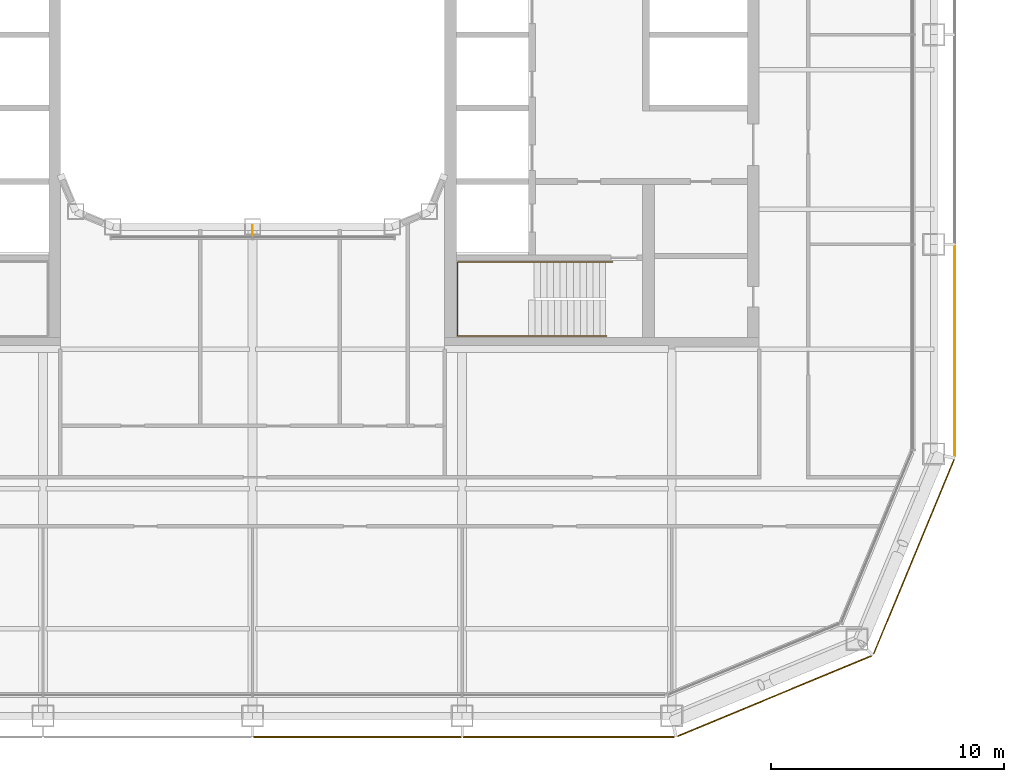
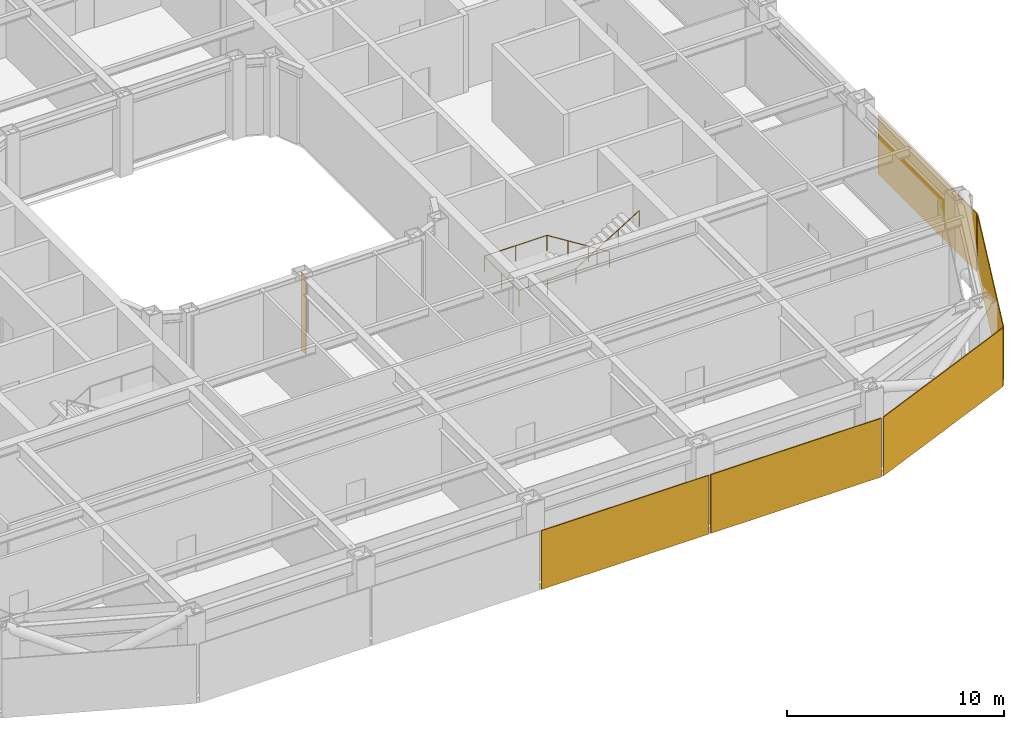
# One storey, part 19 of 23: 5 coverings, 1 railing, 1 shading device.
"""IFC4 building model written with IfcOpenShell, lengths in metres."""

from ifc_helpers import new_model, si_unit, direction, frame, origin, origin_2d, place, context, subcontext, project, spatial, rectangle, circle, extrude, material, layer, layer_set, type_object, element, save


model = new_model("IFC4")

# Units and contexts
model_context = context("Model", 3, precision=1e-05, world=origin(), true_north=direction((0.0, 1.0)))
body_context = subcontext(model_context, "Body", "Model", "MODEL_VIEW")
ifc_project = project(units=[si_unit("LENGTHUNIT", "METRE"), si_unit("AREAUNIT", "SQUARE_METRE"), si_unit("VOLUMEUNIT", "CUBIC_METRE"), si_unit("PLANEANGLEUNIT", "RADIAN"), si_unit("MASSUNIT", "GRAM", prefix="KILO")], contexts=[model_context])

# Site, building, storey
site_placement = place(None, origin())
site = spatial("IfcSite", under=ifc_project, at=site_placement, CompositionType="ELEMENT")
building_placement = place(site_placement, origin())
building = spatial("IfcBuilding", under=site, at=building_placement, Name="Siwar Civic Tower", CompositionType="ELEMENT")
storey_placement = place(building_placement, frame((0.0, 0.0, 131.699951171875)))
storey = spatial("IfcBuildingStorey", under=building, at=storey_placement, Name="L28", CompositionType="ELEMENT", Elevation=131.699951171875)

# Railing
ifc_material_1 = material(Name="Stainless steel", Category="steel")
railing_type = type_object("IfcRailingType", Name="CORE-STAIR-HANDRAIL", PredefinedType="HANDRAIL", material=ifc_material_1)
railing_placement = place(storey_placement, frame((15.449951171875, -9.758056640625, 0.173095703125)))
element("IfcRailing", 1, at=railing_placement, inside=storey, type_object=railing_type, Name="Stair handrail ST4", PredefinedType="HANDRAIL", context=body_context, shape_type="SweptSolid", body=[
    extrude(circle(Radius=0.02001953125, at=origin_2d()), frame((0.0, 0.0, 0.8798828125), z_axis=(-0.847063342986, 0.0, 0.531491950051), x_axis=(0.0, -1.0, 0.0)), (0.0, 0.0, 1.0), 3.90771484375),
    extrude(circle(Radius=0.02001953125, at=origin_2d()), frame((-3.31005859375, 0.0, 2.956787109375), z_axis=(-1.0, 0.0, 0.0), x_axis=(0.0, -1.0, 0.0)), (0.0, 0.0, 1.0), 3.331787109375),
    extrude(circle(Radius=0.02001953125, at=origin_2d()), frame((-6.641845703125, 0.0, 2.956787109375), z_axis=(0.0, -1.0, 0.0), x_axis=(1.0, 0.0, 0.0)), (0.0, 0.0, 1.0), 3.183837890625),
    extrude(circle(Radius=0.02001953125, at=origin_2d()), frame((-6.641845703125, -3.183837890625, 2.956787109375), z_axis=(0.99837434197, 0.0, 0.056997134106), x_axis=(0.0, 1.0, 0.0)), (0.0, 0.0, 1.0), 3.036865234375),
    extrude(circle(Radius=0.02001953125, at=origin_2d()), frame((-3.60986328125, -3.183837890625, 3.1298828125), z_axis=(0.850606129759, 0.0, 0.525803396734), x_axis=(0.0, 1.0, 0.0)), (0.0, 0.0, 1.0), 3.949951171875),
    extrude(circle(Radius=0.02001953125, at=origin_2d()), origin(), (0.0, 0.0, 1.0), 0.85986328125),
    extrude(circle(Radius=0.02001953125, at=origin_2d()), frame((-1.103271484375, 0.0, 0.6923828125)), (0.0, 0.0, 1.0), 0.85986328125),
    extrude(circle(Radius=0.02001953125, at=origin_2d()), frame((-2.206787109375, 0.0, 1.384521484375)), (0.0, 0.0, 1.0), 0.85986328125),
    extrude(circle(Radius=0.02001953125, at=origin_2d()), frame((-3.31005859375, 0.0, 2.076904296875)), (0.0, 0.0, 1.0), 0.85986328125),
    extrude(circle(Radius=0.02001953125, at=origin_2d()), frame((-4.97607421875, 0.0, 2.076904296875)), (0.0, 0.0, 1.0), 0.85986328125),
    extrude(circle(Radius=0.02001953125, at=origin_2d()), frame((-6.641845703125, 0.0, 2.076904296875)), (0.0, 0.0, 1.0), 0.85986328125),
    extrude(circle(Radius=0.02001953125, at=origin_2d()), frame((-6.641845703125, -1.591796875, 2.076904296875)), (0.0, 0.0, 1.0), 0.85986328125),
    extrude(circle(Radius=0.02001953125, at=origin_2d()), frame((-6.641845703125, -3.183837890625, 2.076904296875)), (0.0, 0.0, 1.0), 0.85986328125),
    extrude(circle(Radius=0.02001953125, at=origin_2d()), frame((-5.1259765625, -3.183837890625, 2.16357421875)), (0.0, 0.0, 1.0), 0.85986328125),
    extrude(circle(Radius=0.02001953125, at=origin_2d()), frame((-3.60986328125, -3.183837890625, 2.25)), (0.0, 0.0, 1.0), 0.85986328125),
    extrude(circle(Radius=0.02001953125, at=origin_2d()), frame((-2.489990234375, -3.183837890625, 2.9423828125)), (0.0, 0.0, 1.0), 0.85986328125),
    extrude(circle(Radius=0.02001953125, at=origin_2d()), frame((-1.369873046875, -3.183837890625, 3.634521484375)), (0.0, 0.0, 1.0), 0.85986328125),
    extrude(circle(Radius=0.02001953125, at=origin_2d()), frame((-0.25, -3.183837890625, 4.326904296875)), (0.0, 0.0, 1.0), 0.85986328125),
])

# Shading device
ifc_material_2 = material(Name="Aluminium 6063-T6", Category="aluminium")
ifc_layer_1 = layer(ifc_material_2, 0.02001953125)
ifc_layer_set_1 = layer_set([ifc_layer_1], Name="Aluminium 6063-T6")
shading_device_type = type_object("IfcShadingDeviceType", Name="ENV-FIN", PredefinedType="JALOUSIE", material=ifc_layer_set_1)
shading_device_placement = place(storey_placement, frame((0.0, -8.39501953125, 0.0), z_axis=(0.0, 0.0, 1.0), x_axis=(1.0, 0.0, 0.0)))
element("IfcShadingDevice", 2, at=shading_device_placement, inside=storey, type_object=shading_device_type, Name="SUNSHADE fin WS 1", PredefinedType="JALOUSIE", context=body_context, shape_type="SweptSolid", body=[
    extrude(rectangle(XDim=0.02001953125, YDim=0.449951171875, at=origin_2d()), origin(), (0.0, 0.0, 1.0), 4.35009765625),
])

# Coverings
ifc_material_3 = material(Name="Perforated aluminium cassette, pale metal", Category="aluminium")
ifc_layer_2 = layer(ifc_material_3, 0.0400390625)
ifc_layer_set_2 = layer_set([ifc_layer_2], Name="Perforated aluminium cassette, pale metal")
covering_type_1 = type_object("IfcCoveringType", Name="ENV-OUTER SKIN OS-1", PredefinedType="CLADDING", material=ifc_layer_set_2)
covering_1_placement = place(storey_placement, frame((30.14990234375, -13.57958984375, -0.14990234375), z_axis=(0.0, 0.0, 1.0), x_axis=(0.0, 1.0, 0.0)))
element("IfcCovering", 3, at=covering_1_placement, inside=storey, type_object=covering_type_1, Name="OUTER SKIN OS-1 E 1", PredefinedType="CLADDING", context=body_context, shape_type="SweptSolid", body=[
    extrude(rectangle(XDim=9.05908203125, YDim=0.0400390625, at=origin_2d()), origin(), (0.0, 0.0, 1.0), 3.300048828125),
])
ifc_material_4 = material(Name="Perforated aluminium cassette, pale metal", Category="aluminium")
ifc_layer_3 = layer(ifc_material_4, 0.044921875)
ifc_layer_set_3 = layer_set([ifc_layer_3], Name="Perforated aluminium cassette, pale metal")
covering_type_2 = type_object("IfcCoveringType", Name="ENV-OUTER SKIN OS-2", PredefinedType="CLADDING", material=ifc_layer_set_3)
covering_2_placement = place(storey_placement, frame((28.39697265625, -22.411376953125, -0.14990234375), z_axis=(0.0, 0.0, 1.0), x_axis=(0.382683432365, 0.923879532511, 0.0)))
element("IfcCovering", 4, at=covering_2_placement, inside=storey, type_object=covering_type_2, Name="OUTER SKIN OS-2 SE2 1", PredefinedType="CLADDING", context=body_context, shape_type="SweptSolid", body=[
    extrude(rectangle(XDim=9.022216796875, YDim=0.044921875, at=origin_2d()), origin(), (0.0, 0.0, 1.0), 3.300048828125),
])
ifc_material_5 = material(Name="Perforated aluminium cassette, pale metal", Category="aluminium")
ifc_layer_4 = layer(ifc_material_5, 0.050048828125)
ifc_layer_set_4 = layer_set([ifc_layer_4], Name="Perforated aluminium cassette, pale metal")
covering_type_3 = type_object("IfcCoveringType", Name="ENV-OUTER SKIN OS-3", PredefinedType="CLADDING", material=ifc_layer_set_4)
covering_3_placement = place(storey_placement, frame((22.411376953125, -28.39697265625, -0.14990234375), z_axis=(0.0, 0.0, 1.0), x_axis=(0.923879532511, 0.382683432365, 0.0)))
element("IfcCovering", 5, at=covering_3_placement, inside=storey, type_object=covering_type_3, Name="OUTER SKIN OS-3 SE1 1", PredefinedType="CLADDING", context=body_context, shape_type="SweptSolid", body=[
    extrude(rectangle(XDim=9.022216796875, YDim=0.050048828125, at=origin_2d()), origin(), (0.0, 0.0, 1.0), 3.300048828125),
])
ifc_material_6 = material(Name="Perforated aluminium cassette, pale metal", Category="aluminium")
ifc_layer_5 = layer(ifc_material_6, 0.054931640625)
ifc_layer_set_5 = layer_set([ifc_layer_5], Name="Perforated aluminium cassette, pale metal")
covering_type_4 = type_object("IfcCoveringType", Name="ENV-OUTER SKIN OS-4", PredefinedType="CLADDING", material=ifc_layer_set_5)
covering_4_placement = place(storey_placement, frame((4.5, -30.14990234375, -0.14990234375), z_axis=(0.0, 0.0, 1.0), x_axis=(1.0, 0.0, 0.0)))
element("IfcCovering", 6, at=covering_4_placement, inside=storey, type_object=covering_type_4, Name="OUTER SKIN OS-4 S 3", PredefinedType="CLADDING", context=body_context, shape_type="SweptSolid", body=[
    extrude(rectangle(XDim=8.89990234375, YDim=0.054931640625, at=origin_2d()), origin(), (0.0, 0.0, 1.0), 3.300048828125),
])
covering_5_placement = place(storey_placement, frame((13.57958984375, -30.14990234375, -0.14990234375), z_axis=(0.0, 0.0, 1.0), x_axis=(1.0, 0.0, 0.0)))
element("IfcCovering", 7, at=covering_5_placement, inside=storey, type_object=covering_type_4, Name="OUTER SKIN OS-4 S 4", PredefinedType="CLADDING", context=body_context, shape_type="SweptSolid", body=[
    extrude(rectangle(XDim=9.05908203125, YDim=0.054931640625, at=origin_2d()), origin(), (0.0, 0.0, 1.0), 3.300048828125),
])

save(model, "model.ifc")
